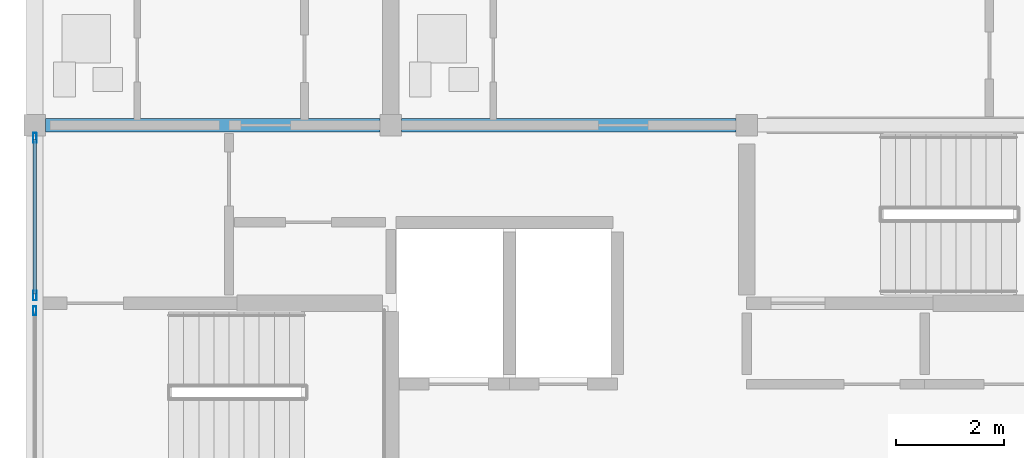
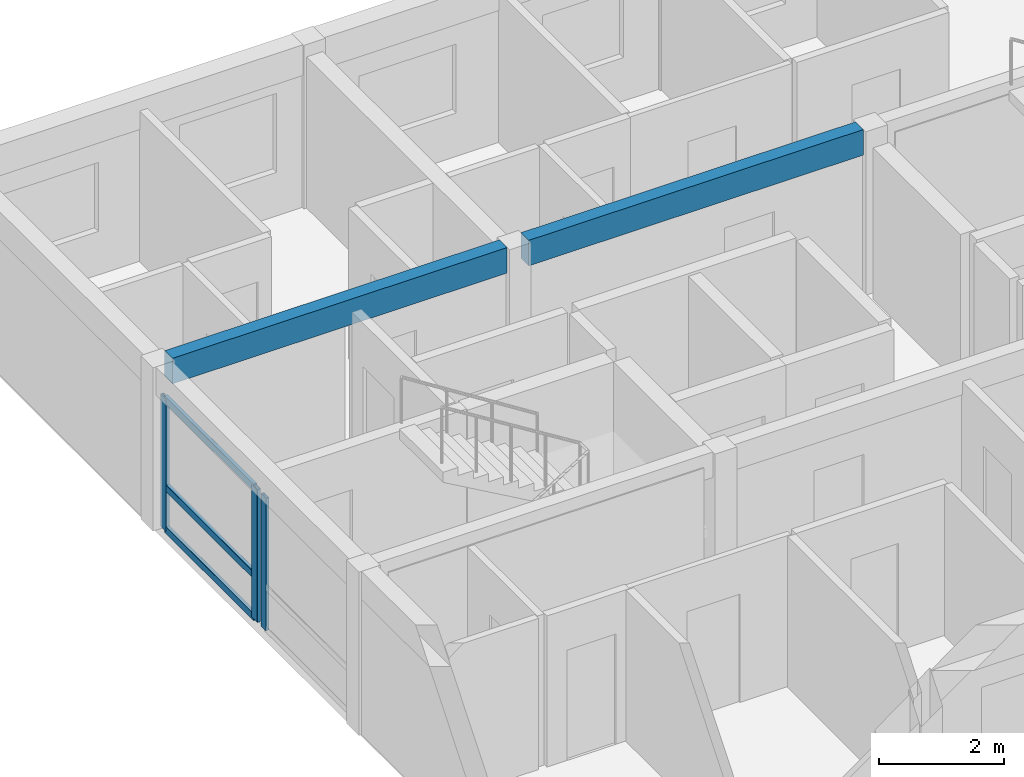
# One storey, part 6 of 45: 6 members, 2 beams, 2 elements without a shape of their own.
"""IFC4 building model written with IfcOpenShell, lengths in metres."""

from ifc_helpers import new_model, si_unit, direction, frame, origin, origin_2d, place, context, subcontext, project, spatial, rectangle, hollow_rectangle, extrude, material, material_profile, profile_set, type_object, element, aggregate, save


model = new_model("IFC4")

# Units and contexts
model_context = context("Model", 3, precision=1e-05, world=origin(), true_north=direction((0.0, 1.0)))
body_context = subcontext(model_context, "Body", "Model", "MODEL_VIEW")
ifc_project = project(units=[si_unit("LENGTHUNIT", "METRE"), si_unit("AREAUNIT", "SQUARE_METRE"), si_unit("VOLUMEUNIT", "CUBIC_METRE"), si_unit("PLANEANGLEUNIT", "RADIAN"), si_unit("MASSUNIT", "GRAM", prefix="KILO")], contexts=[model_context])

# Site, building, storey
site_placement = place(None, origin())
site = spatial("IfcSite", under=ifc_project, at=site_placement, CompositionType="ELEMENT")
building_placement = place(site_placement, origin())
building = spatial("IfcBuilding", under=site, at=building_placement, Name="Kernevlak Ridge Housing Community", CompositionType="ELEMENT")
storey_placement = place(building_placement, frame((0.0, 0.0, 14.800048828125)))
storey = spatial("IfcBuildingStorey", under=building, at=storey_placement, Name="L04", CompositionType="ELEMENT", Elevation=14.800048828125)

# Beams
ifc_material_1 = material(Name="Concrete C35/45", Category="concrete")
ifc_material_profile_1 = material_profile(ifc_material_1, rectangle(XDim=0.25, YDim=0.5, at=origin_2d()), Name="RC 250x500")
ifc_profile_set_1 = profile_set([ifc_material_profile_1], Name="Concrete C35/45")
beam_type = type_object("IfcBeamType", Name="B-06", PredefinedType="T_BEAM", material=ifc_profile_set_1)
beam_1_placement = place(storey_placement, frame((15.800048828125, 28.800048828125, 2.949951171875), z_axis=(1.0, 0.0, 0.0), x_axis=(0.0, 1.0, 0.0)))
element("IfcBeam", 1, at=beam_1_placement, inside=storey, type_object=beam_type, Name="Beam B-06 L04 1418", PredefinedType="T_BEAM", context=body_context, shape_type="SweptSolid", body=[
    extrude(rectangle(XDim=0.25, YDim=0.5, at=origin_2d()), origin(), (0.0, 0.0, 1.0), 6.199951171875),
])
beam_2_placement = place(storey_placement, frame((22.39990234375, 28.800048828125, 2.949951171875), z_axis=(1.0, 0.0, 0.0), x_axis=(0.0, 1.0, 0.0)))
element("IfcBeam", 2, at=beam_2_placement, inside=storey, type_object=beam_type, Name="Beam B-06 L04 1419", PredefinedType="T_BEAM", context=body_context, shape_type="SweptSolid", body=[
    extrude(rectangle(XDim=0.25, YDim=0.5, at=origin_2d()), origin(), (0.0, 0.0, 1.0), 6.2001953125),
])

# Curtain wall, member
ifc_material_2 = material(Name="Aluminium EN AW-6060 anodised and laminated glass", Category="aluminium")
curtain_wall_type_1 = type_object("IfcCurtainWallType", Name="CW-10", PredefinedType="NOTDEFINED", material=ifc_material_2)
curtain_wall_1_placement = place(storey_placement, origin())
curtain_wall_1 = element("IfcCurtainWall", 3, at=curtain_wall_1_placement, inside=storey, type_object=curtain_wall_type_1, Name="Curtain wall CW-10 CW-L04-151", PredefinedType="NOTDEFINED")
ifc_material_3 = material(Name="Aluminium EN AW-6060 anodised", Category="aluminium")
ifc_material_profile_2 = material_profile(ifc_material_3, hollow_rectangle(XDim=0.06005859375, YDim=0.159912109375, WallThickness=0.00390625, InnerFilletRadius=0.001953125, OuterFilletRadius=0.00390625, at=origin_2d()), Name="ALU 60x160x4")
ifc_profile_set_2 = profile_set([ifc_material_profile_2], Name="Aluminium EN AW-6060 anodised")
member_type_1 = type_object("IfcMemberType", Name="MU-02", PredefinedType="MULLION", material=ifc_profile_set_2)
member_1_placement = place(storey_placement, frame((15.60009765625, 25.360107421875, 0.0), z_axis=(0.0, 0.0, 1.0), x_axis=(-1.0, 0.0, 0.0)))
member_1 = element("IfcMember", 4, at=member_1_placement, type_object=member_type_1, Name="CW-10 mullion 2", PredefinedType="MULLION", context=body_context, shape_type="SweptSolid", body=[
    extrude(hollow_rectangle(XDim=0.06005859375, YDim=0.159912109375, WallThickness=0.00390625, InnerFilletRadius=0.001953125, OuterFilletRadius=0.00390625, at=origin_2d()), origin(), (0.0, 0.0, 1.0), 2.599853515625),
])
aggregate(curtain_wall_1, [member_1])

# Curtain wall, members
curtain_wall_type_2 = type_object("IfcCurtainWallType", Name="CW-03", PredefinedType="NOTDEFINED", material=ifc_material_2)
curtain_wall_2_placement = place(storey_placement, origin())
curtain_wall_2 = element("IfcCurtainWall", 5, at=curtain_wall_2_placement, inside=storey, type_object=curtain_wall_type_2, Name="Curtain wall CW-03 CW-L04-152", PredefinedType="NOTDEFINED")
ifc_material_profile_3 = material_profile(ifc_material_3, hollow_rectangle(XDim=0.06494140625, YDim=0.179931640625, WallThickness=0.00439453125, InnerFilletRadius=0.001953125, OuterFilletRadius=0.00439453125, at=origin_2d()), Name="ALU 65x180x4.5")
ifc_profile_set_3 = profile_set([ifc_material_profile_3], Name="Aluminium EN AW-6060 anodised")
member_type_2 = type_object("IfcMemberType", Name="MU-03", PredefinedType="MULLION", material=ifc_profile_set_3)
member_2_placement = place(storey_placement, frame((15.60009765625, 25.642578125, 0.0), z_axis=(0.0, 0.0, 1.0), x_axis=(-1.0, 0.0, 0.0)))
member_2 = element("IfcMember", 6, at=member_2_placement, type_object=member_type_2, Name="CW-03 mullion 1", PredefinedType="MULLION", context=body_context, shape_type="SweptSolid", body=[
    extrude(hollow_rectangle(XDim=0.06494140625, YDim=0.179931640625, WallThickness=0.00439453125, InnerFilletRadius=0.001953125, OuterFilletRadius=0.00439453125, at=origin_2d()), origin(), (0.0, 0.0, 1.0), 2.599853515625),
])
member_3_placement = place(storey_placement, frame((15.60009765625, 28.5673828125, 0.0), z_axis=(0.0, 0.0, 1.0), x_axis=(-1.0, 0.0, 0.0)))
member_3 = element("IfcMember", 7, at=member_3_placement, type_object=member_type_2, Name="CW-03 mullion 2", PredefinedType="MULLION", context=body_context, shape_type="SweptSolid", body=[
    extrude(hollow_rectangle(XDim=0.06494140625, YDim=0.179931640625, WallThickness=0.00439453125, InnerFilletRadius=0.001953125, OuterFilletRadius=0.00439453125, at=origin_2d()), origin(), (0.0, 0.0, 1.0), 2.599853515625),
])
ifc_material_profile_4 = material_profile(ifc_material_3, hollow_rectangle(XDim=0.06494140625, YDim=0.139892578125, WallThickness=0.00390625, InnerFilletRadius=0.001953125, OuterFilletRadius=0.00390625, at=origin_2d()), Name="ALU 65x140x4")
ifc_profile_set_4 = profile_set([ifc_material_profile_4], Name="Aluminium EN AW-6060 anodised")
member_type_3 = type_object("IfcMemberType", Name="TM-03", PredefinedType="USERDEFINED", material=ifc_profile_set_4)
member_4_placement = place(storey_placement, frame((15.60009765625, 25.675048828125, 0.032470703125), z_axis=(0.0, 1.0, 0.0), x_axis=(-1.0, 0.0, 0.0)))
member_4 = element("IfcMember", 8, at=member_4_placement, type_object=member_type_3, Name="CW-03 transom 1.1", ObjectType="TRANSOM", PredefinedType="USERDEFINED", context=body_context, shape_type="SweptSolid", body=[
    extrude(hollow_rectangle(XDim=0.06494140625, YDim=0.139892578125, WallThickness=0.00390625, InnerFilletRadius=0.001953125, OuterFilletRadius=0.00390625, at=origin_2d()), origin(), (0.0, 0.0, 1.0), 2.85986328125),
])
member_5_placement = place(storey_placement, frame((15.60009765625, 25.675048828125, 0.849853515625), z_axis=(0.0, 1.0, 0.0), x_axis=(-1.0, 0.0, 0.0)))
member_5 = element("IfcMember", 9, at=member_5_placement, type_object=member_type_3, Name="CW-03 transom 1.2", ObjectType="TRANSOM", PredefinedType="USERDEFINED", context=body_context, shape_type="SweptSolid", body=[
    extrude(hollow_rectangle(XDim=0.06494140625, YDim=0.139892578125, WallThickness=0.00390625, InnerFilletRadius=0.001953125, OuterFilletRadius=0.00390625, at=origin_2d()), origin(), (0.0, 0.0, 1.0), 2.85986328125),
])
member_6_placement = place(storey_placement, frame((15.60009765625, 25.675048828125, 2.5673828125), z_axis=(0.0, 1.0, 0.0), x_axis=(-1.0, 0.0, 0.0)))
member_6 = element("IfcMember", 10, at=member_6_placement, type_object=member_type_3, Name="CW-03 transom 1.3", ObjectType="TRANSOM", PredefinedType="USERDEFINED", context=body_context, shape_type="SweptSolid", body=[
    extrude(hollow_rectangle(XDim=0.06494140625, YDim=0.139892578125, WallThickness=0.00390625, InnerFilletRadius=0.001953125, OuterFilletRadius=0.00390625, at=origin_2d()), origin(), (0.0, 0.0, 1.0), 2.85986328125),
])
aggregate(curtain_wall_2, [member_2, member_3, member_4, member_5, member_6])

save(model, "model.ifc")
